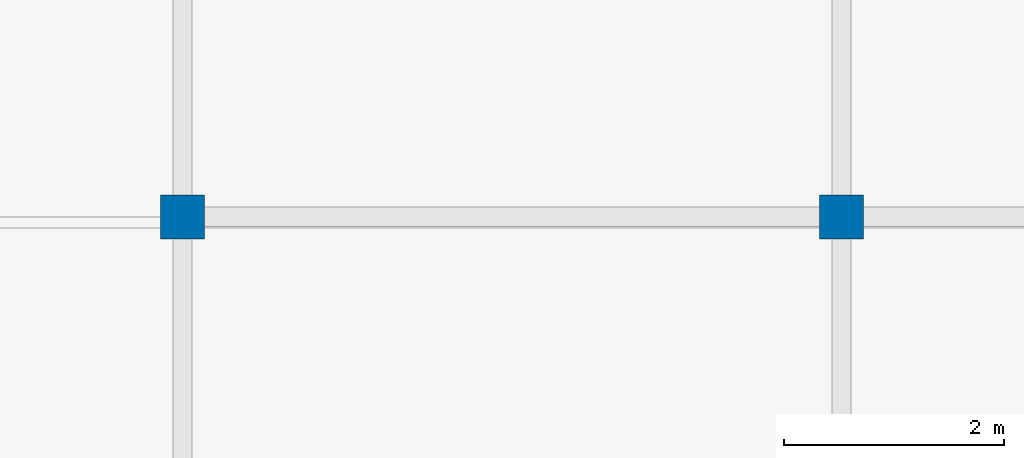
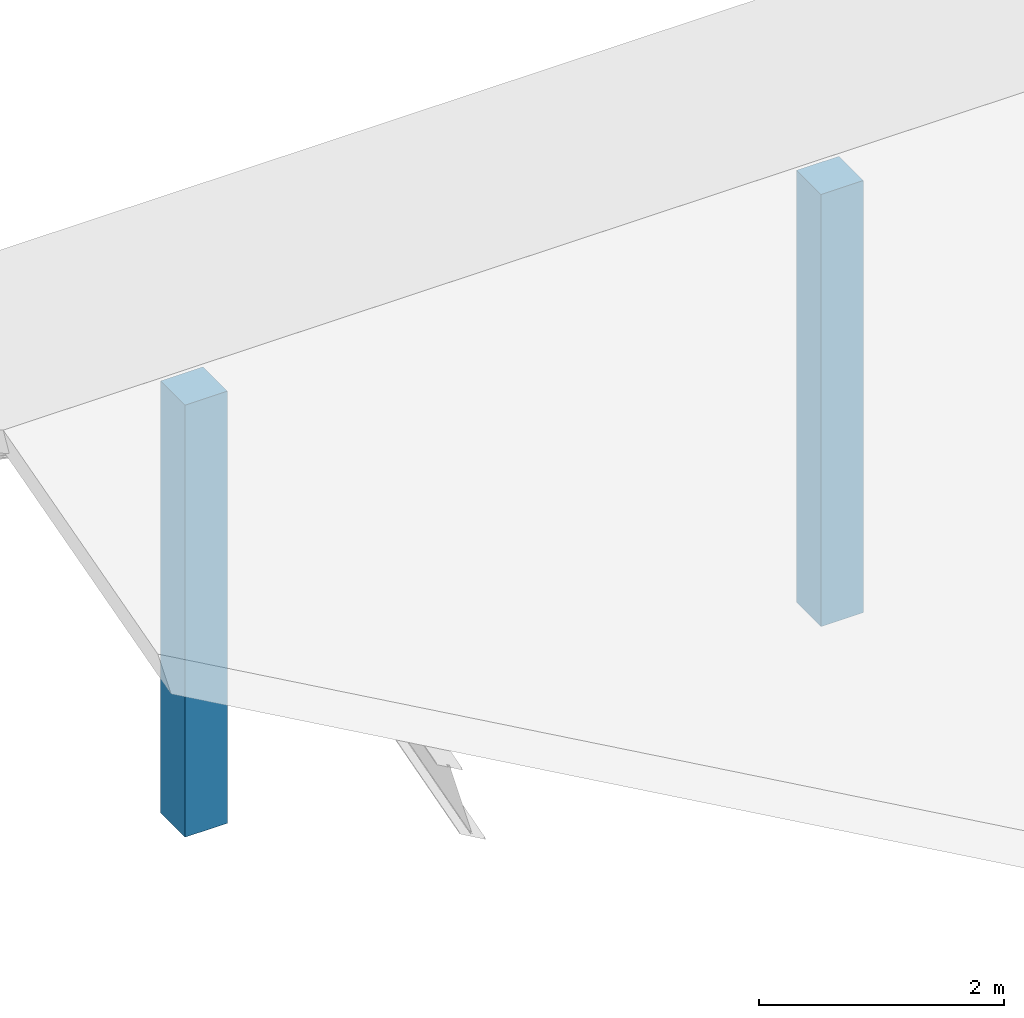
# One storey, part 3 of 101: 2 columns.
"""IFC4 building model written with IfcOpenShell, lengths in metres."""

import ifcopenshell
import ifcopenshell.guid

model = None  # the IFC model being written
_history = None  # IfcOwnerHistory: only IFC2X3 demands one
_inside = {}  # id of a spatial element -> (the spatial element, [elements in it])
_under = {}  # id of a project, library or spatial element -> (it, [spatial elements below it])
_declared = {}  # id of a project -> (the project, [libraries it declares])
_typed = {}  # id of a type object -> (the type object, [elements of that type])
_made_of = {}  # id of a material, layer set ... -> (it, [elements and type objects made of it])


def new_model(schema):
    """Start an empty IFC model of exactly this schema.

    Asked for "IFC4X3", IfcOpenShell would pick the latest addendum, in which some entities
    have other attributes; the version numbers below select the first issue.
    IFC2X3 requires an IfcOwnerHistory on every rooted entity: one is made here for all.
    """
    global model, _history
    if schema == "IFC4X3":
        model = ifcopenshell.file(schema_version=(4, 3, 0, 0))
    else:
        model = ifcopenshell.file(schema=schema)
    _inside.clear()
    _under.clear()
    _declared.clear()
    _typed.clear()
    _made_of.clear()
    _history = None
    if model.schema == "IFC2X3":
        org = make("IfcOrganization", Name="unknown")
        user = make(
            "IfcPersonAndOrganization",
            ThePerson=make("IfcPerson", FamilyName="unknown"),
            TheOrganization=org,
        )
        app = make(
            "IfcApplication",
            ApplicationDeveloper=org,
            Version="unknown",
            ApplicationFullName="unknown",
            ApplicationIdentifier="unknown",
        )
        _history = make(
            "IfcOwnerHistory",
            OwningUser=user,
            OwningApplication=app,
            ChangeAction="ADDED",
            CreationDate=0,
        )
    return model


def make(cls, **values):
    """One entity of the class cls with the attributes given. An attribute that is None is left unset."""
    return model.create_entity(
        cls, **{name: value for name, value in values.items() if value is not None}
    )


def rooted(cls, **values):
    """An entity with a GlobalId (a new one), such as an element, a storey or a relation."""
    return make(cls, GlobalId=ifcopenshell.guid.new(), OwnerHistory=_history, **values)


def si_unit(unit_type, name, prefix=None):
    """IfcSIUnit, for example si_unit("LENGTHUNIT", "METRE", prefix="MILLI")."""
    return make("IfcSIUnit", UnitType=unit_type, Prefix=prefix, Name=name)


def assignment(units):
    """IfcUnitAssignment: the units of a project."""
    return None if units is None else make("IfcUnitAssignment", Units=units)


def point(xyz):
    """IfcCartesianPoint."""
    return None if xyz is None else make("IfcCartesianPoint", Coordinates=xyz)


def direction(xyz):
    """IfcDirection."""
    return None if xyz is None else make("IfcDirection", DirectionRatios=xyz)


def frame(location, z_axis=None, x_axis=None):
    """IfcAxis2Placement3D, a coordinate frame: its origin and axes. An axis left out is left unset."""
    return make(
        "IfcAxis2Placement3D",
        Location=point(location),
        Axis=direction(z_axis),
        RefDirection=direction(x_axis),
    )


def frame_2d(location, x_axis=None):
    """IfcAxis2Placement2D, a coordinate frame in the plane: its origin and x axis."""
    return make(
        "IfcAxis2Placement2D", Location=point(location), RefDirection=direction(x_axis)
    )


def origin():
    """The frame at (0, 0, 0) with its axes left unset."""
    return frame((0.0, 0.0, 0.0))


def origin_2d():
    """The frame at (0, 0) in the plane with its x axis left unset."""
    return frame_2d((0.0, 0.0))


def place(relative_to, where):
    """IfcLocalPlacement: puts the frame where relative to a parent placement (None: the world)."""
    return make(
        "IfcLocalPlacement", PlacementRelTo=relative_to, RelativePlacement=where
    )


def context(
    kind, dimensions, precision=None, world=None, true_north=None, identifier=None
):
    """IfcGeometricRepresentationContext, for example the 3D "Model" context."""
    return make(
        "IfcGeometricRepresentationContext",
        ContextIdentifier=identifier,
        ContextType=kind,
        CoordinateSpaceDimension=dimensions,
        Precision=precision,
        WorldCoordinateSystem=world,
        TrueNorth=true_north,
    )


def subcontext(parent, identifier, kind, view, scale=None):
    """IfcGeometricRepresentationSubContext, for example "Body" below "Model"."""
    return make(
        "IfcGeometricRepresentationSubContext",
        ContextIdentifier=identifier,
        ContextType=kind,
        ParentContext=parent,
        TargetScale=scale,
        TargetView=view,
    )


def project(units=None, contexts=None):
    """IfcProject with its units and contexts."""
    return rooted(
        "IfcProject",
        Name="project",
        RepresentationContexts=contexts,
        UnitsInContext=assignment(units),
    )


def spatial(cls, under=None, at=None, **own):
    """A site, building, storey or space (cls), placed at a placement, below another one or the project."""
    s = rooted(cls, ObjectPlacement=at, **own)
    if under is not None:
        _under.setdefault(under.id(), (under, []))[1].append(s)
    return s


def profile(cls, at=None, kind="AREA", **sizes):
    """A parametric profile (cls). Its sizes go by their IFC names, for example OverallWidth=200.0."""
    return make(cls, ProfileType=kind, Position=at, **sizes)


def rectangle(**sizes):
    """IfcRectangleProfileDef."""
    return profile("IfcRectangleProfileDef", **sizes)


def extrude(swept, where, along, depth):
    """IfcExtrudedAreaSolid: the profile swept, set in the frame where, extruded along a direction by depth."""
    return make(
        "IfcExtrudedAreaSolid",
        SweptArea=swept,
        Position=where,
        ExtrudedDirection=direction(along),
        Depth=depth,
    )


def shape(context_of_items, identifier, shape_type, items):
    """IfcShapeRepresentation: the items that make up one representation, for example the "Body"."""
    return make(
        "IfcShapeRepresentation",
        ContextOfItems=context_of_items,
        RepresentationIdentifier=identifier,
        RepresentationType=shape_type,
        Items=items,
    )


def material(Name=None, Category=None):
    """IfcMaterial."""
    return make("IfcMaterial", Name=Name, Category=Category)


def material_profile(
    of_material, cross_section, Name=None, Category=None, Priority=None
):
    """IfcMaterialProfile: a cross section and its material."""
    return make(
        "IfcMaterialProfile",
        Name=Name,
        Material=of_material,
        Profile=cross_section,
        Priority=Priority,
        Category=Category,
    )


def profile_set(profiles, Name=None, composite=None):
    """IfcMaterialProfileSet."""
    return make(
        "IfcMaterialProfileSet",
        Name=Name,
        MaterialProfiles=profiles,
        CompositeProfile=composite,
    )


def made_of(thing, what):
    """Note that an element or type object is made of a material, layer set ...; save() writes the relation."""
    if what is not None:
        _made_of.setdefault(what.id(), (what, []))[1].append(thing)
    return thing


def type_object(cls, material=None, **own):
    """A type object (cls), such as IfcWallType, which elements share."""
    return made_of(rooted(cls, **own), material)


def element(
    cls,
    number,
    at=None,
    inside=None,
    cuts=None,
    type_object=None,
    material=None,
    context=None,
    identifier="Body",
    shape_type=None,
    held_by="IfcProductDefinitionShape",
    body=None,
    shapes=None,
    **own,
):
    """One element of the class cls, such as IfcWall. Its Tag is "e" and its number.

    at: its placement. inside: the storey or other place that contains it. cuts: it is an
    opening in that element (IfcRelVoidsElement). A single representation is given by context,
    identifier, shape_type and body (its items); several are given by shapes. held_by: the class
    of the entity that holds the representations. save() writes the other relations.
    """
    e = rooted(cls, Tag="e%d" % number, ObjectPlacement=at, **own)
    if body is not None:
        shapes = [shape(context, identifier, shape_type, body)]
    if shapes is not None:
        e.Representation = make(held_by, Representations=shapes)
    if inside is not None:
        _inside.setdefault(inside.id(), (inside, []))[1].append(e)
    if cuts is not None:
        rooted(
            "IfcRelVoidsElement", RelatingBuildingElement=cuts, RelatedOpeningElement=e
        )
    if type_object is not None:
        _typed.setdefault(type_object.id(), (type_object, []))[1].append(e)
    return made_of(e, material)


def aggregate(whole, parts):
    """IfcRelAggregates: a whole, such as a stair, and the parts it consists of."""
    return rooted("IfcRelAggregates", RelatingObject=whole, RelatedObjects=parts)


def save(model, path):
    """Write the relations noted so far, then the file.

    IfcRelAggregates (storeys below a building ...), IfcRelContainedInSpatialStructure (elements
    in a storey), IfcRelDefinesByType, IfcRelAssociatesMaterial and IfcRelDeclares: one each for
    every whole, place, type object, material and project.
    """
    for whole, parts in _under.values():
        aggregate(whole, parts)
    for where, things in _inside.values():
        rooted(
            "IfcRelContainedInSpatialStructure",
            RelatedElements=things,
            RelatingStructure=where,
        )
    for kind, things in _typed.values():
        rooted("IfcRelDefinesByType", RelatedObjects=things, RelatingType=kind)
    for what, things in _made_of.values():
        rooted("IfcRelAssociatesMaterial", RelatedObjects=things, RelatingMaterial=what)
    for by, libraries in _declared.values():
        rooted("IfcRelDeclares", RelatingContext=by, RelatedDefinitions=libraries)
    model.write(path)


model = new_model("IFC4")

# Units and contexts
model_context = context("Model", 3, precision=1e-05, world=origin(), true_north=direction((0.0, 1.0)))
body_context = subcontext(model_context, "Body", "Model", "MODEL_VIEW")
ifc_project = project(units=[si_unit("LENGTHUNIT", "METRE"), si_unit("AREAUNIT", "SQUARE_METRE"), si_unit("VOLUMEUNIT", "CUBIC_METRE"), si_unit("PLANEANGLEUNIT", "RADIAN"), si_unit("MASSUNIT", "GRAM", prefix="KILO"), si_unit("THERMODYNAMICTEMPERATUREUNIT", "KELVIN")], contexts=[model_context])

# Site, building, storey
site_placement = place(None, origin())
site = spatial("IfcSite", under=ifc_project, at=site_placement, CompositionType="ELEMENT")
building_placement = place(site_placement, origin())
building = spatial("IfcBuilding", under=site, at=building_placement, Name="Thalorik Housing Commons", CompositionType="ELEMENT")
storey_placement = place(building_placement, frame((0.0, 0.0, 8.10009765625)))
storey = spatial("IfcBuildingStorey", under=building, at=storey_placement, Name="L02", CompositionType="ELEMENT", Elevation=8.10009765625)

# Columns
ifc_material = material(Name="Precast concrete C40/50", Category="concrete")
ifc_material_profile = material_profile(ifc_material, rectangle(XDim=0.39990234375, YDim=0.39990234375, at=origin_2d()), Name="PC 400x400", Category="concrete")
ifc_profile_set = profile_set([ifc_material_profile], Name="Precast concrete C40/50")
column_type = type_object("IfcColumnType", Name="STR-COL-PC400", PredefinedType="COLUMN", material=ifc_profile_set)
for number, where, z_axis, x_axis, name in (
    (1, (123.60009765625, 22.800048828125, 0.0), (0.0, 0.0, 1.0), (1.0, 0.0, 0.0), "L02 Nursery Ridge Column 1"),
    (2, (129.60009765625, 22.800048828125, 0.0), (0.0, 0.0, 1.0), (1.0, 0.0, 0.0), "L02 Nursery Ridge Column 2"),
):
    element("IfcColumn", number, at=place(storey_placement, frame(where, z_axis=z_axis, x_axis=x_axis)), inside=storey, type_object=column_type, Name=name, PredefinedType="COLUMN", context=body_context, shape_type="SweptSolid", body=[
        extrude(rectangle(XDim=0.39990234375, YDim=0.39990234375, at=origin_2d()), origin(), (0.0, 0.0, 1.0), 4.309814453125),
    ])

save(model, "model.ifc")
